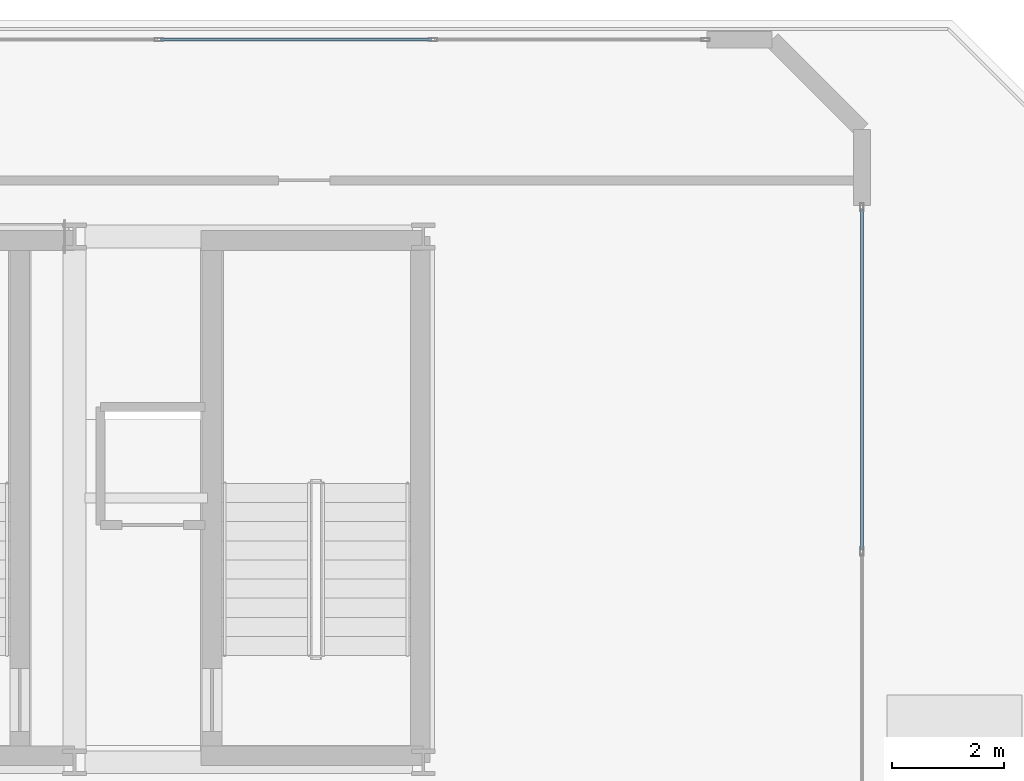
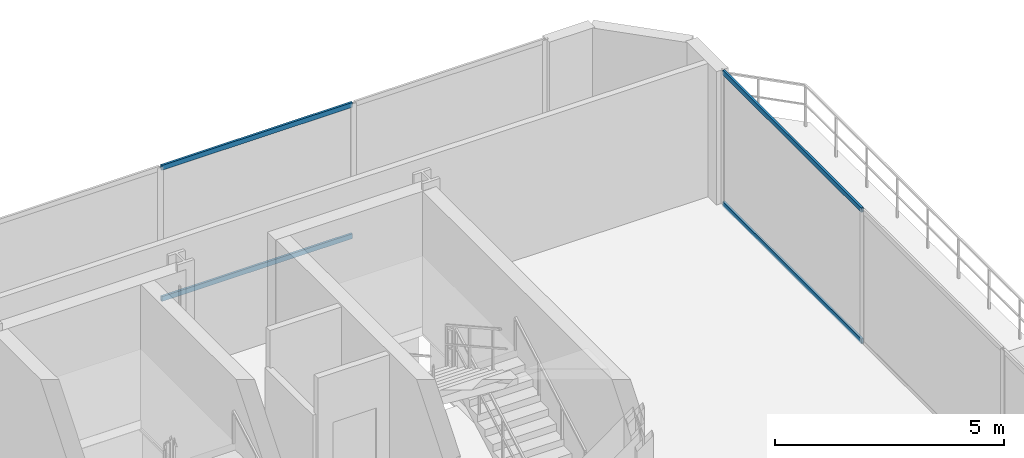
# One storey, part 11 of 16: 4 members, 2 elements without a shape of their own.
"""IFC4 building model written with IfcOpenShell, lengths in metres."""

from ifc_helpers import new_model, si_unit, direction, frame, origin, origin_2d, place, context, subcontext, project, spatial, hollow_rectangle, extrude, material, layer, layer_set, material_profile, profile_set, type_object, element, aggregate, save


model = new_model("IFC4")

# Units and contexts
model_context = context("Model", 3, precision=1e-05, world=origin(), true_north=direction((0.0, 1.0)))
body_context = subcontext(model_context, "Body", "Model", "MODEL_VIEW")
ifc_project = project(units=[si_unit("LENGTHUNIT", "METRE"), si_unit("AREAUNIT", "SQUARE_METRE"), si_unit("VOLUMEUNIT", "CUBIC_METRE"), si_unit("PLANEANGLEUNIT", "RADIAN"), si_unit("MASSUNIT", "GRAM", prefix="KILO")], contexts=[model_context])

# Site, building, storey
site_placement = place(None, origin())
site = spatial("IfcSite", under=ifc_project, at=site_placement, CompositionType="ELEMENT")
building_placement = place(site_placement, origin())
building = spatial("IfcBuilding", under=site, at=building_placement, Name="Zuhayl Quay Hotel", CompositionType="ELEMENT")
storey_placement = place(building_placement, frame((0.0, 0.0, 308.64990234375)))
storey = spatial("IfcBuildingStorey", under=building, at=storey_placement, Name="Crown 4", CompositionType="ELEMENT", Elevation=308.64990234375)

# Curtain wall, members
ifc_material_1 = material(Name="Anodised Aluminium 6063-T6", Category="aluminium")
ifc_layer = layer(ifc_material_1, 0.159912109375, Name="Anodised Aluminium 6063-T6", Category="aluminium")
ifc_layer_set = layer_set([ifc_layer], Name="Anodised Aluminium 6063-T6")
curtain_wall_type = type_object("IfcCurtainWallType", Name="CW_SYS_CRN", PredefinedType="USERDEFINED", material=ifc_layer_set)
curtain_wall_1_placement = place(storey_placement, origin())
curtain_wall_1 = element("IfcCurtainWall", 1, at=curtain_wall_1_placement, inside=storey, type_object=curtain_wall_type, Name="Crown 4 Curtain Wall ENV_CR4_E3_CW1", ObjectType="UNITISED CURTAIN WALL", PredefinedType="USERDEFINED")
ifc_material_2 = material(Name="Black-anodised aluminium 6063-T6", Category="aluminium")
ifc_material_profile = material_profile(ifc_material_2, hollow_rectangle(XDim=0.054931640625, YDim=0.1298828125, WallThickness=0.0029296875, at=origin_2d()), Name="ALU130X55")
ifc_profile_set = profile_set([ifc_material_profile], Name="Black-anodised aluminium 6063-T6")
member_type = type_object("IfcMemberType", Name="MB_CW_TRN_130", PredefinedType="USERDEFINED", material=ifc_profile_set)
member_1_placement = place(storey_placement, frame((-3.070068359375, 37.949951171875, 0.027587890625), z_axis=(1.0, 0.0, 0.0), x_axis=(0.0, 1.0, 0.0)))
member_1 = element("IfcMember", 2, at=member_1_placement, type_object=member_type, Name="CW-CRN transom 3.1", ObjectType="TRANSOM", PredefinedType="USERDEFINED", context=body_context, shape_type="SweptSolid", body=[
    extrude(hollow_rectangle(XDim=0.054931640625, YDim=0.1298828125, WallThickness=0.0029296875, at=origin_2d()), origin(), (0.0, 0.0, 1.0), 4.815185546875),
])
member_2_placement = place(storey_placement, frame((-3.070068359375, 37.949951171875, 3.53271484375), z_axis=(1.0, 0.0, 0.0), x_axis=(0.0, 1.0, 0.0)))
member_2 = element("IfcMember", 3, at=member_2_placement, type_object=member_type, Name="CW-CRN transom 3.2", ObjectType="TRANSOM", PredefinedType="USERDEFINED", context=body_context, shape_type="SweptSolid", body=[
    extrude(hollow_rectangle(XDim=0.054931640625, YDim=0.1298828125, WallThickness=0.0029296875, at=origin_2d()), origin(), (0.0, 0.0, 1.0), 4.815185546875),
])
aggregate(curtain_wall_1, [member_1, member_2])

curtain_wall_2_placement = place(storey_placement, origin())
curtain_wall_2 = element("IfcCurtainWall", 4, at=curtain_wall_2_placement, inside=storey, type_object=curtain_wall_type, Name="Crown 4 Curtain Wall ENV_CR4_E5_CW1", ObjectType="UNITISED CURTAIN WALL", PredefinedType="USERDEFINED")
member_3_placement = place(storey_placement, frame((9.39990234375, 34.93994140625, 0.027587890625), z_axis=(0.0, -1.0, 0.0), x_axis=(1.0, 0.0, 0.0)))
member_3 = element("IfcMember", 5, at=member_3_placement, type_object=member_type, Name="CW-CRN transom 1.1", ObjectType="TRANSOM", PredefinedType="USERDEFINED", context=body_context, shape_type="SweptSolid", body=[
    extrude(hollow_rectangle(XDim=0.054931640625, YDim=0.1298828125, WallThickness=0.0029296875, at=origin_2d()), origin(), (0.0, 0.0, 1.0), 6.06005859375),
])
member_4_placement = place(storey_placement, frame((9.39990234375, 34.93994140625, 3.53271484375), z_axis=(0.0, -1.0, 0.0), x_axis=(1.0, 0.0, 0.0)))
member_4 = element("IfcMember", 6, at=member_4_placement, type_object=member_type, Name="CW-CRN transom 1.2", ObjectType="TRANSOM", PredefinedType="USERDEFINED", context=body_context, shape_type="SweptSolid", body=[
    extrude(hollow_rectangle(XDim=0.054931640625, YDim=0.1298828125, WallThickness=0.0029296875, at=origin_2d()), origin(), (0.0, 0.0, 1.0), 6.06005859375),
])
aggregate(curtain_wall_2, [member_3, member_4])

save(model, "model.ifc")
